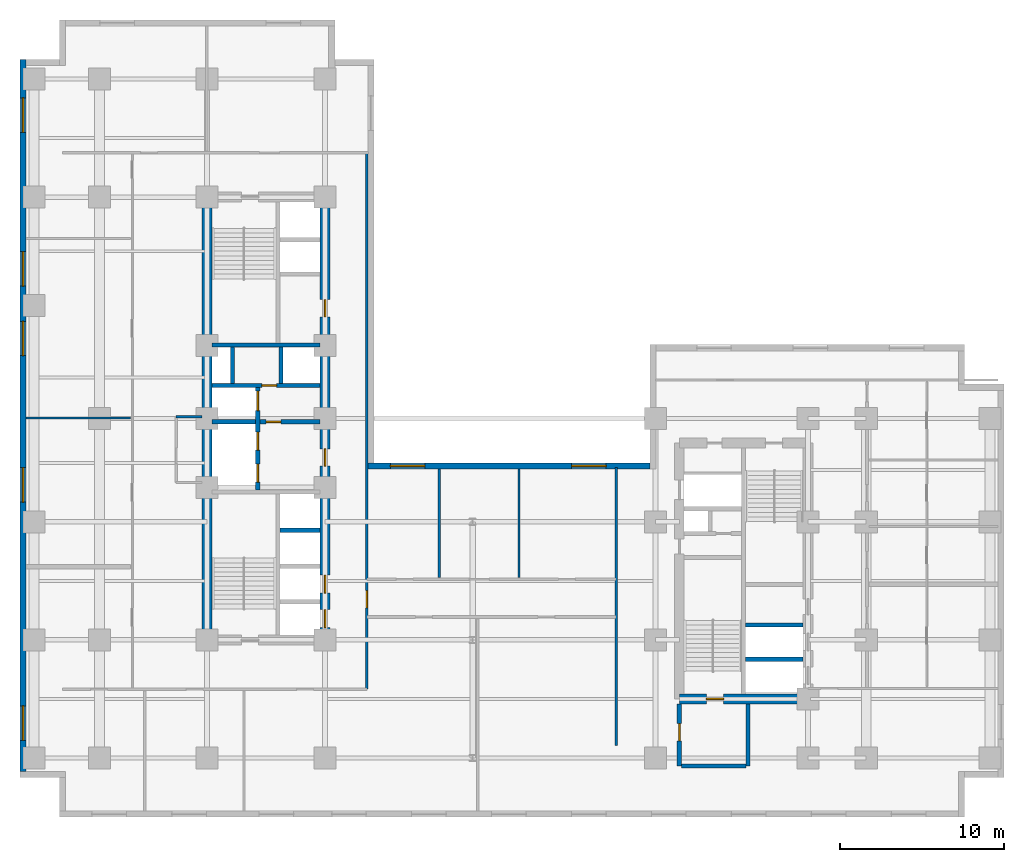
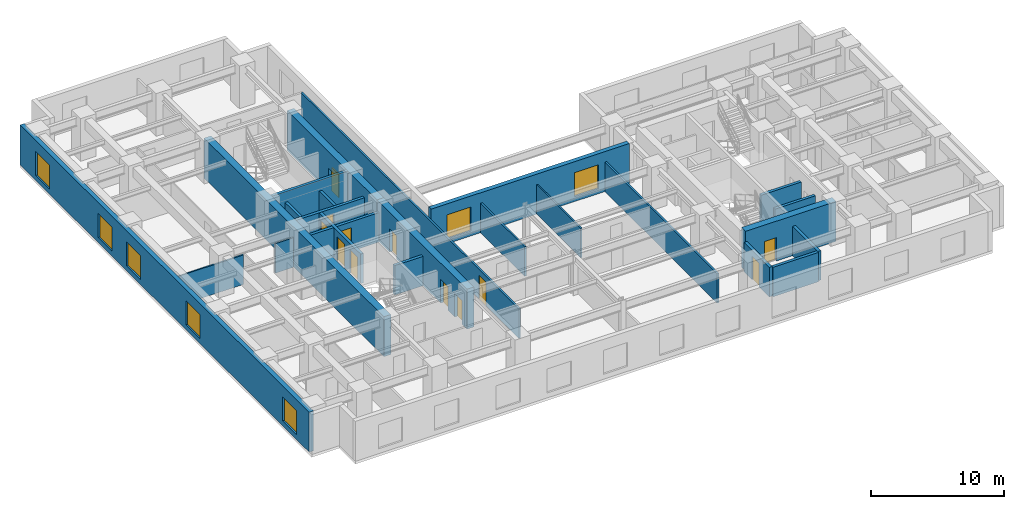
# One storey, part 4 of 9: 24 walls, 12 doors, 7 windows, 19 openings.
"""IFC4 building model written with IfcOpenShell, lengths in metres."""

from ifc_helpers import new_model, entity, si_unit, converted_unit, direction, frame, origin_with_axes, origin_2d_with_axis, place, context, subcontext, project, spatial, polyline, rectangle, outline, extrude, material, layer, layer_set, type_object, element, fill, save


model = new_model("IFC4")

# Units and contexts
model_context = context("Model", 3, precision=1e-05, world=origin_with_axes(), true_north=direction((0.0, 1.0)))
body_context = subcontext(model_context, "Body", "Model", "MODEL_VIEW")
ifc_project = project(units=[si_unit("LENGTHUNIT", "METRE"), si_unit("AREAUNIT", "SQUARE_METRE"), si_unit("VOLUMEUNIT", "CUBIC_METRE"), converted_unit("PLANEANGLEUNIT", "DEGREE", entity("IfcPlaneAngleMeasure", 0.017453292519943295), si_unit("PLANEANGLEUNIT", "RADIAN"), dimensions=[0, 0, 0, 0, 0, 0, 0]), si_unit("MASSUNIT", "GRAM", prefix="KILO"), si_unit("THERMODYNAMICTEMPERATUREUNIT", "KELVIN")], contexts=[model_context])

# Site, building, storey
site_placement = place(None, origin_with_axes())
site = spatial("IfcSite", under=ifc_project, at=site_placement, CompositionType="ELEMENT")
building_placement = place(site_placement, origin_with_axes())
building = spatial("IfcBuilding", under=site, at=building_placement, Name="Varnlund Millrace Tower", CompositionType="ELEMENT")
storey_placement = place(building_placement, frame((0.0, 0.0, 40.5), z_axis=(0.0, 0.0, 1.0), x_axis=(1.0, 0.0, 0.0)))
storey = spatial("IfcBuildingStorey", under=building, at=storey_placement, Name="L09", CompositionType="ELEMENT", Elevation=40.5)

# Wall
ifc_material_1 = material(Name="Concrete C80/95", Category="concrete")
ifc_layer_1 = layer(ifc_material_1, 0.6, Name="Concrete C80/95")
ifc_layer_set_1 = layer_set([ifc_layer_1], Name="Concrete C80/95")
wall_type_1 = type_object("IfcWallType", Name="Type-CoreWall-Shear-600-C80", PredefinedType="SHEAR", material=ifc_layer_set_1)
wall_1_placement = place(storey_placement, frame((11.4, 10.8, 0.0), z_axis=(0.0, 0.0, 1.0), x_axis=(0.0, 1.0, 0.0)))
element("IfcWall", 1, at=wall_1_placement, inside=storey, type_object=wall_type_1, Name="Type-CoreWall-Shear-600-C80", PredefinedType="SHEAR", context=body_context, shape_type="SweptSolid", body=[
    extrude(outline(polyline([(0.0, -0.3), (27.0, -0.3), (27.0, 0.3), (0.0, 0.3), (0.0, -0.3)])), origin_with_axes(), (0.0, 0.0, 1.0), 3.66),
])

# Wall, openings, doors
wall_2_placement = place(storey_placement, frame((18.6, 10.8, 0.0), z_axis=(0.0, 0.0, 1.0), x_axis=(0.0, 1.0, 0.0)))
wall_2 = element("IfcWall", 2, at=wall_2_placement, inside=storey, type_object=wall_type_1, Name="Type-CoreWall-Shear-600-C80", PredefinedType="SHEAR", context=body_context, shape_type="SweptSolid", body=[
    extrude(outline(polyline([(0.0, -0.3), (13.5, -0.3), (13.5, 0.3), (0.0, 0.3), (0.0, -0.3)])), origin_with_axes(), (0.0, 0.0, 1.0), 3.66),
])
opening_1_placement = place(wall_2_placement, frame((1.3, 0.0, 0.0), z_axis=(0.0, 0.0, 1.0), x_axis=(1.0, 0.0, 0.0)))
opening_1 = element("IfcOpeningElement", 3, at=opening_1_placement, cuts=wall_2, Name="Opening L09:LD-ELV-L1", PredefinedType="OPENING", context=body_context, shape_type="SweptSolid", body=[
    extrude(rectangle(XDim=1.1, YDim=0.62, at=origin_2d_with_axis()), origin_with_axes(), (0.0, 0.0, 1.0), 2.15),
])
opening_2_placement = place(wall_2_placement, frame((3.4, 0.0, 0.0), z_axis=(0.0, 0.0, 1.0), x_axis=(1.0, 0.0, 0.0)))
opening_2 = element("IfcOpeningElement", 4, at=opening_2_placement, cuts=wall_2, Name="Opening L09:LD-ELV-L2", PredefinedType="OPENING", context=body_context, shape_type="SweptSolid", body=[
    extrude(rectangle(XDim=1.1, YDim=0.62, at=origin_2d_with_axis()), origin_with_axes(), (0.0, 0.0, 1.0), 2.15),
])
opening_3_placement = place(wall_2_placement, frame((11.125, 0.0, 0.0), z_axis=(0.0, 0.0, 1.0), x_axis=(1.0, 0.0, 0.0)))
opening_3 = element("IfcOpeningElement", 5, at=opening_3_placement, cuts=wall_2, Name="Opening L09:DR-FFLOB-A", PredefinedType="OPENING", context=body_context, shape_type="SweptSolid", body=[
    extrude(rectangle(XDim=1.05, YDim=0.62, at=origin_2d_with_axis()), origin_with_axes(), (0.0, 0.0, 1.0), 2.15),
])
ifc_material_2 = material(Name="Smoke-barrier hollow steel fire door", Category="steel")
door_type_1 = type_object("IfcDoorType", Name="Type-FireDoor-Lobby-1050X2150", OperationType="NOTDEFINED", PredefinedType="DOOR", material=ifc_material_2)
door_1_placement = place(wall_2_placement, frame((11.125, 0.0, 0.0), z_axis=(0.0, 0.0, 1.0), x_axis=(1.0, 0.0, 0.0)))
door_1 = element("IfcDoor", 6, at=door_1_placement, inside=storey, type_object=door_type_1, Name="Type-FireDoor-Lobby-1050X2150", OperationType="SINGLE_SWING_LEFT", OverallHeight=2.15, OverallWidth=1.05, PredefinedType="DOOR", context=body_context, shape_type="SweptSolid", body=[
    extrude(rectangle(XDim=1.05, YDim=0.09, at=origin_2d_with_axis()), origin_with_axes(), (0.0, 0.0, 1.0), 2.15),
])
fill(opening_3, door_1)
ifc_material_3 = material(Name="Stainless and architectural bronze sliding landing door")
door_type_2 = type_object("IfcDoorType", Name="Type-LiftLandingDoor-1100X2150", OperationType="NOTDEFINED", PredefinedType="DOOR", material=ifc_material_3)
door_2_placement = place(wall_2_placement, frame((1.3, 0.0, 0.0), z_axis=(0.0, 0.0, 1.0), x_axis=(1.0, 0.0, 0.0)))
door_2 = element("IfcDoor", 7, at=door_2_placement, inside=storey, type_object=door_type_2, Name="Type-LiftLandingDoor-1100X2150", OperationType="SLIDING_TO_LEFT", OverallHeight=2.15, OverallWidth=1.1, PredefinedType="DOOR", context=body_context, shape_type="SweptSolid", body=[
    extrude(rectangle(XDim=1.1, YDim=0.09, at=origin_2d_with_axis()), origin_with_axes(), (0.0, 0.0, 1.0), 2.15),
])
fill(opening_1, door_2)
door_3_placement = place(wall_2_placement, frame((3.4, 0.0, 0.0), z_axis=(0.0, 0.0, 1.0), x_axis=(1.0, 0.0, 0.0)))
door_3 = element("IfcDoor", 8, at=door_3_placement, inside=storey, type_object=door_type_2, Name="Type-LiftLandingDoor-1100X2150", OperationType="SLIDING_TO_RIGHT", OverallHeight=2.15, OverallWidth=1.1, PredefinedType="DOOR", context=body_context, shape_type="SweptSolid", body=[
    extrude(rectangle(XDim=1.1, YDim=0.09, at=origin_2d_with_axis()), origin_with_axes(), (0.0, 0.0, 1.0), 2.15),
])
fill(opening_2, door_3)

# Wall, opening, door
wall_3_placement = place(storey_placement, frame((18.6, 24.3, 0.0), z_axis=(0.0, 0.0, 1.0), x_axis=(0.0, 1.0, 0.0)))
wall_3 = element("IfcWall", 9, at=wall_3_placement, inside=storey, type_object=wall_type_1, Name="Type-CoreWall-Shear-600-C80", PredefinedType="SHEAR", context=body_context, shape_type="SweptSolid", body=[
    extrude(outline(polyline([(0.0, -0.3), (13.5, -0.3), (13.5, 0.3), (0.0, 0.3), (0.0, -0.3)])), origin_with_axes(), (0.0, 0.0, 1.0), 3.66),
])
opening_4_placement = place(wall_3_placement, frame((6.725, 0.0, 0.0), z_axis=(0.0, 0.0, 1.0), x_axis=(1.0, 0.0, 0.0)))
opening_4 = element("IfcOpeningElement", 10, at=opening_4_placement, cuts=wall_3, Name="Opening L09:DR-CA-WC1", PredefinedType="OPENING", context=body_context, shape_type="SweptSolid", body=[
    extrude(rectangle(XDim=1.05, YDim=0.62, at=origin_2d_with_axis()), origin_with_axes(), (0.0, 0.0, 1.0), 2.15),
])
door_4_placement = place(wall_3_placement, frame((6.725, 0.0, 0.0), z_axis=(0.0, 0.0, 1.0), x_axis=(1.0, 0.0, 0.0)))
door_4 = element("IfcDoor", 11, at=door_4_placement, inside=storey, type_object=door_type_1, Name="Type-FireDoor-Lobby-1050X2150", OperationType="SINGLE_SWING_LEFT", OverallHeight=2.15, OverallWidth=1.05, PredefinedType="DOOR", context=body_context, shape_type="SweptSolid", body=[
    extrude(rectangle(XDim=1.05, YDim=0.09, at=origin_2d_with_axis()), origin_with_axes(), (0.0, 0.0, 1.0), 2.15),
])
fill(opening_4, door_4)

wall_4_placement = place(storey_placement, frame((40.2, 7.2, 0.0), z_axis=(0.0, 0.0, 1.0), x_axis=(1.0, 0.0, 0.0)))
wall_4 = element("IfcWall", 12, at=wall_4_placement, inside=storey, type_object=wall_type_1, Name="Type-CoreWall-Shear-600-C80", PredefinedType="SHEAR", context=body_context, shape_type="SweptSolid", body=[
    extrude(outline(polyline([(0.0, -0.3), (7.85, -0.3), (7.85, 0.3), (0.0, 0.3), (0.0, -0.3)])), origin_with_axes(), (0.0, 0.0, 1.0), 3.66),
])
opening_5_placement = place(wall_4_placement, frame((2.175, 0.0, 0.0), z_axis=(0.0, 0.0, 1.0), x_axis=(1.0, 0.0, 0.0)))
opening_5 = element("IfcOpeningElement", 13, at=opening_5_placement, cuts=wall_4, Name="Opening L09:DR-STB1", PredefinedType="OPENING", context=body_context, shape_type="SweptSolid", body=[
    extrude(rectangle(XDim=1.05, YDim=0.62, at=origin_2d_with_axis()), origin_with_axes(), (0.0, 0.0, 1.0), 2.15),
])
ifc_material_4 = material(Name="Fire-rated hollow steel door", Category="steel")
door_type_3 = type_object("IfcDoorType", Name="Type-FireDoor-Stair-1050X2150", OperationType="NOTDEFINED", PredefinedType="DOOR", material=ifc_material_4)
door_5_placement = place(wall_4_placement, frame((2.175, 0.0, 0.0), z_axis=(0.0, 0.0, 1.0), x_axis=(1.0, 0.0, 0.0)))
door_5 = element("IfcDoor", 14, at=door_5_placement, inside=storey, type_object=door_type_3, Name="Type-FireDoor-Stair-1050X2150", OperationType="SINGLE_SWING_LEFT", OverallHeight=2.15, OverallWidth=1.05, PredefinedType="DOOR", context=body_context, shape_type="SweptSolid", body=[
    extrude(rectangle(XDim=1.05, YDim=0.09, at=origin_2d_with_axis()), origin_with_axes(), (0.0, 0.0, 1.0), 2.15),
])
fill(opening_5, door_5)

# Wall, openings, windows
ifc_material_5 = material(Name="Precast concrete C50/60", Category="concrete")
ifc_layer_2 = layer(ifc_material_5, 0.38, Name="Precast concrete C50/60")
ifc_layer_set_2 = layer_set([ifc_layer_2], Name="Precast concrete C50/60")
wall_type_2 = type_object("IfcWallType", Name="Type-ExtWall-Precast-Tube-380", PredefinedType="SOLIDWALL", material=ifc_layer_set_2)
wall_5_placement = place(storey_placement, frame((0.19, 2.78, 0.0), z_axis=(0.0, 0.0, 1.0), x_axis=(0.0, 1.0, 0.0)))
wall_5 = element("IfcWall", 15, at=wall_5_placement, inside=storey, type_object=wall_type_2, Name="Type-ExtWall-Precast-Tube-380", PredefinedType="SOLIDWALL", context=body_context, shape_type="SweptSolid", body=[
    extrude(outline(polyline([(0.0, -0.19), (43.42, -0.19), (43.42, 0.19), (0.0, 0.19), (0.0, -0.19)])), origin_with_axes(), (0.0, 0.0, 1.0), 3.66),
])
opening_6_placement = place(wall_5_placement, frame((2.946, 0.0, 0.45), z_axis=(0.0, 0.0, 1.0), x_axis=(1.0, 0.0, 0.0)))
opening_6 = element("IfcOpeningElement", 16, at=opening_6_placement, cuts=wall_5, Name="Opening L09:WN-16", PredefinedType="OPENING", context=body_context, shape_type="SweptSolid", body=[
    extrude(rectangle(XDim=2.1, YDim=0.4, at=origin_2d_with_axis()), origin_with_axes(), (0.0, 0.0, 1.0), 2.2),
])
opening_7_placement = place(wall_5_placement, frame((17.469, 0.0, 0.45), z_axis=(0.0, 0.0, 1.0), x_axis=(1.0, 0.0, 0.0)))
opening_7 = element("IfcOpeningElement", 17, at=opening_7_placement, cuts=wall_5, Name="Opening L09:WN-17", PredefinedType="OPENING", context=body_context, shape_type="SweptSolid", body=[
    extrude(rectangle(XDim=2.1, YDim=0.4, at=origin_2d_with_axis()), origin_with_axes(), (0.0, 0.0, 1.0), 2.2),
])
opening_8_placement = place(wall_5_placement, frame((26.401, 0.0, 0.45), z_axis=(0.0, 0.0, 1.0), x_axis=(1.0, 0.0, 0.0)))
opening_8 = element("IfcOpeningElement", 18, at=opening_8_placement, cuts=wall_5, Name="Opening L09:WN-18", PredefinedType="OPENING", context=body_context, shape_type="SweptSolid", body=[
    extrude(rectangle(XDim=2.1, YDim=0.4, at=origin_2d_with_axis()), origin_with_axes(), (0.0, 0.0, 1.0), 2.2),
])
opening_9_placement = place(wall_5_placement, frame((30.642, 0.0, 0.45), z_axis=(0.0, 0.0, 1.0), x_axis=(1.0, 0.0, 0.0)))
opening_9 = element("IfcOpeningElement", 19, at=opening_9_placement, cuts=wall_5, Name="Opening L09:WN-19", PredefinedType="OPENING", context=body_context, shape_type="SweptSolid", body=[
    extrude(rectangle(XDim=2.1, YDim=0.4, at=origin_2d_with_axis()), origin_with_axes(), (0.0, 0.0, 1.0), 2.2),
])
opening_10_placement = place(wall_5_placement, frame((40.024, 0.0, 0.45), z_axis=(0.0, 0.0, 1.0), x_axis=(1.0, 0.0, 0.0)))
opening_10 = element("IfcOpeningElement", 20, at=opening_10_placement, cuts=wall_5, Name="Opening L09:WN-20", PredefinedType="OPENING", context=body_context, shape_type="SweptSolid", body=[
    extrude(rectangle(XDim=2.1, YDim=0.4, at=origin_2d_with_axis()), origin_with_axes(), (0.0, 0.0, 1.0), 2.2),
])
ifc_material_6 = material(Name="Argon low-e triple glazing in thermally broken bronze frame", Category="glass")
window_type = type_object("IfcWindowType", Name="Type-Window-Punched-2100X2200", PartitioningType="SINGLE_PANEL", PredefinedType="WINDOW", material=ifc_material_6)
window_1_placement = place(wall_5_placement, frame((2.946, 0.0, 0.45), z_axis=(0.0, 0.0, 1.0), x_axis=(1.0, 0.0, 0.0)))
window_1 = element("IfcWindow", 21, at=window_1_placement, inside=storey, type_object=window_type, Name="Type-Window-Punched-2100X2200", OverallHeight=2.2, OverallWidth=2.1, PredefinedType="WINDOW", context=body_context, shape_type="SweptSolid", body=[
    extrude(rectangle(XDim=2.1, YDim=0.09, at=origin_2d_with_axis()), origin_with_axes(), (0.0, 0.0, 1.0), 2.2),
])
fill(opening_6, window_1)
window_2_placement = place(wall_5_placement, frame((17.469, 0.0, 0.45), z_axis=(0.0, 0.0, 1.0), x_axis=(1.0, 0.0, 0.0)))
window_2 = element("IfcWindow", 22, at=window_2_placement, inside=storey, type_object=window_type, Name="Type-Window-Punched-2100X2200", OverallHeight=2.2, OverallWidth=2.1, PredefinedType="WINDOW", context=body_context, shape_type="SweptSolid", body=[
    extrude(rectangle(XDim=2.1, YDim=0.09, at=origin_2d_with_axis()), origin_with_axes(), (0.0, 0.0, 1.0), 2.2),
])
fill(opening_7, window_2)
window_3_placement = place(wall_5_placement, frame((26.401, 0.0, 0.45), z_axis=(0.0, 0.0, 1.0), x_axis=(1.0, 0.0, 0.0)))
window_3 = element("IfcWindow", 23, at=window_3_placement, inside=storey, type_object=window_type, Name="Type-Window-Punched-2100X2200", OverallHeight=2.2, OverallWidth=2.1, PredefinedType="WINDOW", context=body_context, shape_type="SweptSolid", body=[
    extrude(rectangle(XDim=2.1, YDim=0.09, at=origin_2d_with_axis()), origin_with_axes(), (0.0, 0.0, 1.0), 2.2),
])
fill(opening_8, window_3)
window_4_placement = place(wall_5_placement, frame((30.642, 0.0, 0.45), z_axis=(0.0, 0.0, 1.0), x_axis=(1.0, 0.0, 0.0)))
window_4 = element("IfcWindow", 24, at=window_4_placement, inside=storey, type_object=window_type, Name="Type-Window-Punched-2100X2200", OverallHeight=2.2, OverallWidth=2.1, PredefinedType="WINDOW", context=body_context, shape_type="SweptSolid", body=[
    extrude(rectangle(XDim=2.1, YDim=0.09, at=origin_2d_with_axis()), origin_with_axes(), (0.0, 0.0, 1.0), 2.2),
])
fill(opening_9, window_4)
window_5_placement = place(wall_5_placement, frame((40.024, 0.0, 0.45), z_axis=(0.0, 0.0, 1.0), x_axis=(1.0, 0.0, 0.0)))
window_5 = element("IfcWindow", 25, at=window_5_placement, inside=storey, type_object=window_type, Name="Type-Window-Punched-2100X2200", OverallHeight=2.2, OverallWidth=2.1, PredefinedType="WINDOW", context=body_context, shape_type="SweptSolid", body=[
    extrude(rectangle(XDim=2.1, YDim=0.09, at=origin_2d_with_axis()), origin_with_axes(), (0.0, 0.0, 1.0), 2.2),
])
fill(opening_10, window_5)

wall_6_placement = place(storey_placement, frame((21.22, 21.41, 0.0), z_axis=(0.0, 0.0, 1.0), x_axis=(1.0, 0.0, 0.0)))
wall_6 = element("IfcWall", 26, at=wall_6_placement, inside=storey, type_object=wall_type_2, Name="Type-ExtWall-Precast-Tube-380", PredefinedType="SOLIDWALL", context=body_context, shape_type="SweptSolid", body=[
    extrude(outline(polyline([(0.0, -0.19), (17.18, -0.19), (17.18, 0.19), (0.0, 0.19), (0.0, -0.19)])), origin_with_axes(), (0.0, 0.0, 1.0), 3.66),
])
opening_11_placement = place(wall_6_placement, frame((2.413, 0.0, 0.45), z_axis=(0.0, 0.0, 1.0), x_axis=(1.0, 0.0, 0.0)))
opening_11 = element("IfcOpeningElement", 27, at=opening_11_placement, cuts=wall_6, Name="Opening L09:WN-24", PredefinedType="OPENING", context=body_context, shape_type="SweptSolid", body=[
    extrude(rectangle(XDim=2.1, YDim=0.4, at=origin_2d_with_axis()), origin_with_axes(), (0.0, 0.0, 1.0), 2.2),
])
opening_12_placement = place(wall_6_placement, frame((13.467, 0.0, 0.45), z_axis=(0.0, 0.0, 1.0), x_axis=(1.0, 0.0, 0.0)))
opening_12 = element("IfcOpeningElement", 28, at=opening_12_placement, cuts=wall_6, Name="Opening L09:WN-25", PredefinedType="OPENING", context=body_context, shape_type="SweptSolid", body=[
    extrude(rectangle(XDim=2.1, YDim=0.4, at=origin_2d_with_axis()), origin_with_axes(), (0.0, 0.0, 1.0), 2.2),
])
window_6_placement = place(wall_6_placement, frame((2.413, 0.0, 0.45), z_axis=(0.0, 0.0, 1.0), x_axis=(1.0, 0.0, 0.0)))
window_6 = element("IfcWindow", 29, at=window_6_placement, inside=storey, type_object=window_type, Name="Type-Window-Punched-2100X2200", OverallHeight=2.2, OverallWidth=2.1, PredefinedType="WINDOW", context=body_context, shape_type="SweptSolid", body=[
    extrude(rectangle(XDim=2.1, YDim=0.09, at=origin_2d_with_axis()), origin_with_axes(), (0.0, 0.0, 1.0), 2.2),
])
fill(opening_11, window_6)
window_7_placement = place(wall_6_placement, frame((13.467, 0.0, 0.45), z_axis=(0.0, 0.0, 1.0), x_axis=(1.0, 0.0, 0.0)))
window_7 = element("IfcWindow", 30, at=window_7_placement, inside=storey, type_object=window_type, Name="Type-Window-Punched-2100X2200", OverallHeight=2.2, OverallWidth=2.1, PredefinedType="WINDOW", context=body_context, shape_type="SweptSolid", body=[
    extrude(rectangle(XDim=2.1, YDim=0.09, at=origin_2d_with_axis()), origin_with_axes(), (0.0, 0.0, 1.0), 2.2),
])
fill(opening_12, window_7)

# Wall, opening, door
ifc_material_7 = material(Name="Fire-rated gypsum board on cold-formed steel framing", Category="steel")
ifc_layer_3 = layer(ifc_material_7, 0.16, Name="Fire-rated gypsum board on cold-formed steel framing")
ifc_layer_set_3 = layer_set([ifc_layer_3], Name="Fire-rated gypsum board on cold-formed steel framing")
wall_type_3 = type_object("IfcWallType", Name="Type-Partition-Corridor-160", PredefinedType="PARTITIONING", material=ifc_layer_set_3)
wall_7_placement = place(storey_placement, frame((21.15, 7.8, 0.0), z_axis=(0.0, 0.0, 1.0), x_axis=(0.0, 1.0, 0.0)))
wall_7 = element("IfcWall", 31, at=wall_7_placement, inside=storey, type_object=wall_type_3, Name="Type-Partition-Corridor-160", PredefinedType="PARTITIONING", context=body_context, shape_type="SweptSolid", body=[
    extrude(outline(polyline([(0.0, -0.08), (32.7, -0.08), (32.7, 0.08), (0.0, 0.08), (0.0, -0.08)])), origin_with_axes(), (0.0, 0.0, 1.0), 2.7),
])
opening_13_placement = place(wall_7_placement, frame((5.475, 0.0, 0.0), z_axis=(0.0, 0.0, 1.0), x_axis=(1.0, 0.0, 0.0)))
opening_13 = element("IfcOpeningElement", 32, at=opening_13_placement, cuts=wall_7, Name="Opening L09:DR-KN-W", PredefinedType="OPENING", context=body_context, shape_type="SweptSolid", body=[
    extrude(rectangle(XDim=1.05, YDim=0.18, at=origin_2d_with_axis()), origin_with_axes(), (0.0, 0.0, 1.0), 2.15),
])
door_6_placement = place(wall_7_placement, frame((5.475, 0.0, 0.0), z_axis=(0.0, 0.0, 1.0), x_axis=(1.0, 0.0, 0.0)))
door_6 = element("IfcDoor", 33, at=door_6_placement, inside=storey, type_object=door_type_1, Name="Type-FireDoor-Lobby-1050X2150", OperationType="SINGLE_SWING_LEFT", OverallHeight=2.15, OverallWidth=1.05, PredefinedType="DOOR", context=body_context, shape_type="SweptSolid", body=[
    extrude(rectangle(XDim=1.05, YDim=0.09, at=origin_2d_with_axis()), origin_with_axes(), (0.0, 0.0, 1.0), 2.15),
])
fill(opening_13, door_6)

# Walls
wall_8_placement = place(storey_placement, frame((36.35, 4.35, 0.0), z_axis=(0.0, 0.0, 1.0), x_axis=(0.0, 1.0, 0.0)))
element("IfcWall", 34, at=wall_8_placement, inside=storey, type_object=wall_type_3, Name="Type-Partition-Corridor-160", PredefinedType="PARTITIONING", context=body_context, shape_type="SweptSolid", body=[
    extrude(outline(polyline([(0.0, -0.08), (16.95, -0.08), (16.95, 0.08), (0.0, 0.08), (0.0, -0.08)])), origin_with_axes(), (0.0, 0.0, 1.0), 2.7),
])
ifc_material_8 = material(Name="Acoustic STC-50 gypsum board partition", Category="gypsum")
ifc_layer_4 = layer(ifc_material_8, 0.15, Name="Acoustic STC-50 gypsum board partition")
ifc_layer_set_4 = layer_set([ifc_layer_4], Name="Acoustic STC-50 gypsum board partition")
wall_type_4 = type_object("IfcWallType", Name="Type-Partition-Demising-150", PredefinedType="PARTITIONING", material=ifc_layer_set_4)
wall_9_placement = place(storey_placement, frame((25.575, 14.62, 0.0), z_axis=(0.0, 0.0, 1.0), x_axis=(0.0, 1.0, 0.0)))
element("IfcWall", 35, at=wall_9_placement, inside=storey, type_object=wall_type_4, Name="Type-Partition-Demising-150", PredefinedType="PARTITIONING", context=body_context, shape_type="SweptSolid", body=[
    extrude(outline(polyline([(0.0, -0.075), (6.605, -0.075), (6.605, 0.075), (0.0, 0.075), (0.0, -0.075)])), origin_with_axes(), (0.0, 0.0, 1.0), 2.7),
])
ifc_material_9 = material(Name="Gypsum board tenant partition", Category="gypsum")
ifc_layer_5 = layer(ifc_material_9, 0.125, Name="Gypsum board tenant partition")
ifc_layer_set_5 = layer_set([ifc_layer_5], Name="Gypsum board tenant partition")
wall_type_5 = type_object("IfcWallType", Name="Type-Partition-Tenant-125", PredefinedType="PARTITIONING", material=ifc_layer_set_5)
wall_10_placement = place(storey_placement, frame((0.375, 24.329, 0.0), z_axis=(0.0, 0.0, 1.0), x_axis=(1.0, 0.0, 0.0)))
element("IfcWall", 36, at=wall_10_placement, inside=storey, type_object=wall_type_5, Name="Type-Partition-Tenant-125", PredefinedType="PARTITIONING", context=body_context, shape_type="SweptSolid", body=[
    extrude(outline(polyline([(0.0, -0.0625), (6.355, -0.0625), (6.355, 0.0625), (0.0, 0.0625), (0.0, -0.0625)])), origin_with_axes(), (0.0, 0.0, 1.0), 2.7),
])
wall_11_placement = place(storey_placement, frame((30.427, 14.62, 0.0), z_axis=(0.0, 0.0, 1.0), x_axis=(0.0, 1.0, 0.0)))
element("IfcWall", 37, at=wall_11_placement, inside=storey, type_object=wall_type_5, Name="Type-Partition-Tenant-125", PredefinedType="PARTITIONING", context=body_context, shape_type="SweptSolid", body=[
    extrude(outline(polyline([(0.0, -0.0625), (6.605, -0.0625), (6.605, 0.0625), (0.0, 0.0625), (0.0, -0.0625)])), origin_with_axes(), (0.0, 0.0, 1.0), 2.7),
])
ifc_material_10 = material(Name="Moisture-resistant gypsum restroom partition", Category="gypsum")
ifc_layer_6 = layer(ifc_material_10, 0.14, Name="Moisture-resistant gypsum restroom partition")
ifc_layer_set_6 = layer_set([ifc_layer_6], Name="Moisture-resistant gypsum restroom partition")
wall_type_6 = type_object("IfcWallType", Name="Type-Partition-Wet-140", PredefinedType="PARTITIONING", material=ifc_layer_set_6)
wall_12_placement = place(storey_placement, frame((9.52, 24.4, 0.0), z_axis=(0.0, 0.0, 1.0), x_axis=(1.0, 0.0, 0.0)))
element("IfcWall", 38, at=wall_12_placement, inside=storey, type_object=wall_type_6, Name="Type-Partition-Wet-140", PredefinedType="PARTITIONING", context=body_context, shape_type="SweptSolid", body=[
    extrude(outline(polyline([(0.0, -0.07), (1.58, -0.07), (1.58, 0.07), (0.0, 0.07), (0.0, -0.07)])), origin_with_axes(), (0.0, 0.0, 1.0), 2.7),
])

# Wall, openings, doors
ifc_material_11 = material(Name="Concrete C60/75", Category="concrete")
ifc_layer_7 = layer(ifc_material_11, 0.25, Name="Concrete C60/75")
ifc_layer_set_7 = layer_set([ifc_layer_7], Name="Concrete C60/75")
wall_type_7 = type_object("IfcWallType", Name="Type-ShaftWall-Fire-250", PredefinedType="SOLIDWALL", material=ifc_layer_set_7)
wall_13_placement = place(storey_placement, frame((14.5, 19.95, 0.0), z_axis=(0.0, 0.0, 1.0), x_axis=(0.0, 1.0, 0.0)))
wall_13 = element("IfcWall", 39, at=wall_13_placement, inside=storey, type_object=wall_type_7, Name="Type-ShaftWall-Fire-250", PredefinedType="SOLIDWALL", context=body_context, shape_type="SweptSolid", body=[
    extrude(outline(polyline([(0.0, -0.125), (6.25, -0.125), (6.25, 0.125), (0.0, 0.125), (0.0, -0.125)])), origin_with_axes(), (0.0, 0.0, 1.0), 2.7),
])
opening_14_placement = place(wall_13_placement, frame((1.025, 0.0, 0.0), z_axis=(0.0, 0.0, 1.0), x_axis=(1.0, 0.0, 0.0)))
opening_14 = element("IfcOpeningElement", 40, at=opening_14_placement, cuts=wall_13, Name="Opening L09:LD-FSAE1", PredefinedType="OPENING", context=body_context, shape_type="SweptSolid", body=[
    extrude(rectangle(XDim=1.1, YDim=0.27, at=origin_2d_with_axis()), origin_with_axes(), (0.0, 0.0, 1.0), 2.15),
])
opening_15_placement = place(wall_13_placement, frame((2.975, 0.0, 0.0), z_axis=(0.0, 0.0, 1.0), x_axis=(1.0, 0.0, 0.0)))
opening_15 = element("IfcOpeningElement", 41, at=opening_15_placement, cuts=wall_13, Name="Opening L09:LD-FSAE2", PredefinedType="OPENING", context=body_context, shape_type="SweptSolid", body=[
    extrude(rectangle(XDim=1.1, YDim=0.27, at=origin_2d_with_axis()), origin_with_axes(), (0.0, 0.0, 1.0), 2.15),
])
opening_16_placement = place(wall_13_placement, frame((5.425, 0.0, 0.0), z_axis=(0.0, 0.0, 1.0), x_axis=(1.0, 0.0, 0.0)))
opening_16 = element("IfcOpeningElement", 42, at=opening_16_placement, cuts=wall_13, Name="Opening L09:LD-SRV1", PredefinedType="OPENING", context=body_context, shape_type="SweptSolid", body=[
    extrude(rectangle(XDim=1.2, YDim=0.27, at=origin_2d_with_axis()), origin_with_axes(), (0.0, 0.0, 1.0), 2.15),
])
door_7_placement = place(wall_13_placement, frame((1.025, 0.0, 0.0), z_axis=(0.0, 0.0, 1.0), x_axis=(1.0, 0.0, 0.0)))
door_7 = element("IfcDoor", 43, at=door_7_placement, inside=storey, type_object=door_type_2, Name="Type-LiftLandingDoor-1100X2150", OperationType="SLIDING_TO_LEFT", OverallHeight=2.15, OverallWidth=1.1, PredefinedType="DOOR", context=body_context, shape_type="SweptSolid", body=[
    extrude(rectangle(XDim=1.1, YDim=0.09, at=origin_2d_with_axis()), origin_with_axes(), (0.0, 0.0, 1.0), 2.15),
])
fill(opening_14, door_7)
door_8_placement = place(wall_13_placement, frame((2.975, 0.0, 0.0), z_axis=(0.0, 0.0, 1.0), x_axis=(1.0, 0.0, 0.0)))
door_8 = element("IfcDoor", 44, at=door_8_placement, inside=storey, type_object=door_type_2, Name="Type-LiftLandingDoor-1100X2150", OperationType="SLIDING_TO_RIGHT", OverallHeight=2.15, OverallWidth=1.1, PredefinedType="DOOR", context=body_context, shape_type="SweptSolid", body=[
    extrude(rectangle(XDim=1.1, YDim=0.09, at=origin_2d_with_axis()), origin_with_axes(), (0.0, 0.0, 1.0), 2.15),
])
fill(opening_15, door_8)
ifc_material_12 = material(Name="Heavy-duty freight sliding landing door")
door_type_4 = type_object("IfcDoorType", Name="Type-LiftLandingDoor-Service-1200X2150", OperationType="NOTDEFINED", PredefinedType="DOOR", material=ifc_material_12)
door_9_placement = place(wall_13_placement, frame((5.425, 0.0, 0.0), z_axis=(0.0, 0.0, 1.0), x_axis=(1.0, 0.0, 0.0)))
door_9 = element("IfcDoor", 45, at=door_9_placement, inside=storey, type_object=door_type_4, Name="Type-LiftLandingDoor-Service-1200X2150", OperationType="DOUBLE_DOOR_SLIDING", OverallHeight=2.15, OverallWidth=1.2, PredefinedType="DOOR", context=body_context, shape_type="SweptSolid", body=[
    extrude(rectangle(XDim=1.2, YDim=0.09, at=origin_2d_with_axis()), origin_with_axes(), (0.0, 0.0, 1.0), 2.15),
])
fill(opening_16, door_9)

# Wall, opening, door
wall_14_placement = place(storey_placement, frame((11.7, 24.1, 0.0), z_axis=(0.0, 0.0, 1.0), x_axis=(1.0, 0.0, 0.0)))
wall_14 = element("IfcWall", 46, at=wall_14_placement, inside=storey, type_object=wall_type_7, Name="Type-ShaftWall-Fire-250", PredefinedType="SOLIDWALL", context=body_context, shape_type="SweptSolid", body=[
    extrude(outline(polyline([(0.0, -0.125), (6.6, -0.125), (6.6, 0.125), (0.0, 0.125), (0.0, -0.125)])), origin_with_axes(), (0.0, 0.0, 1.0), 2.7),
])
opening_17_placement = place(wall_14_placement, frame((3.75, 0.0, 0.0), z_axis=(0.0, 0.0, 1.0), x_axis=(1.0, 0.0, 0.0)))
opening_17 = element("IfcOpeningElement", 47, at=opening_17_placement, cuts=wall_14, Name="Opening L09:DR-CA-SRV1", PredefinedType="OPENING", context=body_context, shape_type="SweptSolid", body=[
    extrude(rectangle(XDim=0.9, YDim=0.27, at=origin_2d_with_axis()), origin_with_axes(), (0.0, 0.0, 1.0), 2.15),
])
ifc_material_13 = material(Name="Fire-rated hollow steel service closet door", Category="steel")
door_type_5 = type_object("IfcDoorType", Name="Type-FireDoor-Closet-900X2150", OperationType="NOTDEFINED", PredefinedType="DOOR", material=ifc_material_13)
door_10_placement = place(wall_14_placement, frame((3.75, 0.0, 0.0), z_axis=(0.0, 0.0, 1.0), x_axis=(1.0, 0.0, 0.0)))
door_10 = element("IfcDoor", 48, at=door_10_placement, inside=storey, type_object=door_type_5, Name="Type-FireDoor-Closet-900X2150", OperationType="SINGLE_SWING_LEFT", OverallHeight=2.15, OverallWidth=0.9, PredefinedType="DOOR", context=body_context, shape_type="SweptSolid", body=[
    extrude(rectangle(XDim=0.9, YDim=0.09, at=origin_2d_with_axis()), origin_with_axes(), (0.0, 0.0, 1.0), 2.15),
])
fill(opening_17, door_10)

wall_15_placement = place(storey_placement, frame((11.7, 26.325, 0.0), z_axis=(0.0, 0.0, 1.0), x_axis=(1.0, 0.0, 0.0)))
wall_15 = element("IfcWall", 49, at=wall_15_placement, inside=storey, type_object=wall_type_7, Name="Type-ShaftWall-Fire-250", PredefinedType="SOLIDWALL", context=body_context, shape_type="SweptSolid", body=[
    extrude(outline(polyline([(0.0, -0.125), (6.6, -0.125), (6.6, 0.125), (0.0, 0.125), (0.0, -0.125)])), origin_with_axes(), (0.0, 0.0, 1.0), 2.7),
])
opening_18_placement = place(wall_15_placement, frame((3.5, 0.0, 0.0), z_axis=(0.0, 0.0, 1.0), x_axis=(1.0, 0.0, 0.0)))
opening_18 = element("IfcOpeningElement", 50, at=opening_18_placement, cuts=wall_15, Name="Opening L09:DR-CA-ELC", PredefinedType="OPENING", context=body_context, shape_type="SweptSolid", body=[
    extrude(rectangle(XDim=0.9, YDim=0.27, at=origin_2d_with_axis()), origin_with_axes(), (0.0, 0.0, 1.0), 2.15),
])
door_11_placement = place(wall_15_placement, frame((3.5, 0.0, 0.0), z_axis=(0.0, 0.0, 1.0), x_axis=(1.0, 0.0, 0.0)))
door_11 = element("IfcDoor", 51, at=door_11_placement, inside=storey, type_object=door_type_5, Name="Type-FireDoor-Closet-900X2150", OperationType="SINGLE_SWING_LEFT", OverallHeight=2.15, OverallWidth=0.9, PredefinedType="DOOR", context=body_context, shape_type="SweptSolid", body=[
    extrude(rectangle(XDim=0.9, YDim=0.09, at=origin_2d_with_axis()), origin_with_axes(), (0.0, 0.0, 1.0), 2.15),
])
fill(opening_18, door_11)

# Walls
for number, where, z_axis, x_axis, name in (
    (52, (12.96, 26.45, 0.0), (0.0, 0.0, 1.0), (0.0, 1.0, 0.0), "Type-ShaftWall-Fire-250"),
    (53, (15.925, 26.45, 0.0), (0.0, 0.0, 1.0), (0.0, 1.0, 0.0), "Type-ShaftWall-Fire-250"),
):
    element("IfcWall", number, at=place(storey_placement, frame(where, z_axis=z_axis, x_axis=x_axis)), inside=storey, type_object=wall_type_7, Name=name, PredefinedType="SOLIDWALL", context=body_context, shape_type="SweptSolid", body=[
        extrude(outline(polyline([(0.0, -0.125), (2.2, -0.125), (2.2, 0.125), (0.0, 0.125), (0.0, -0.125)])), origin_with_axes(), (0.0, 0.0, 1.0), 2.7),
    ])

# Wall, opening, door
wall_16_placement = place(storey_placement, frame((40.2, 3.1, 0.0), z_axis=(0.0, 0.0, 1.0), x_axis=(0.0, 1.0, 0.0)))
wall_16 = element("IfcWall", 54, at=wall_16_placement, inside=storey, type_object=wall_type_7, Name="Type-ShaftWall-Fire-250", PredefinedType="SOLIDWALL", context=body_context, shape_type="SweptSolid", body=[
    extrude(outline(polyline([(0.0, -0.125), (3.8, -0.125), (3.8, 0.125), (0.0, 0.125), (0.0, -0.125)])), origin_with_axes(), (0.0, 0.0, 1.0), 2.7),
])
opening_19_placement = place(wall_16_placement, frame((2.075, 0.0, 0.0), z_axis=(0.0, 0.0, 1.0), x_axis=(1.0, 0.0, 0.0)))
opening_19 = element("IfcOpeningElement", 55, at=opening_19_placement, cuts=wall_16, Name="Opening L09:DR-FFLOB-B", PredefinedType="OPENING", context=body_context, shape_type="SweptSolid", body=[
    extrude(rectangle(XDim=1.05, YDim=0.27, at=origin_2d_with_axis()), origin_with_axes(), (0.0, 0.0, 1.0), 2.15),
])
door_12_placement = place(wall_16_placement, frame((2.075, 0.0, 0.0), z_axis=(0.0, 0.0, 1.0), x_axis=(1.0, 0.0, 0.0)))
door_12 = element("IfcDoor", 56, at=door_12_placement, inside=storey, type_object=door_type_1, Name="Type-FireDoor-Lobby-1050X2150", OperationType="SINGLE_SWING_LEFT", OverallHeight=2.15, OverallWidth=1.05, PredefinedType="DOOR", context=body_context, shape_type="SweptSolid", body=[
    extrude(rectangle(XDim=1.05, YDim=0.09, at=origin_2d_with_axis()), origin_with_axes(), (0.0, 0.0, 1.0), 2.15),
])
fill(opening_19, door_12)

# Walls
wall_17_placement = place(storey_placement, frame((40.325, 3.1, 0.0), z_axis=(0.0, 0.0, 1.0), x_axis=(1.0, 0.0, 0.0)))
element("IfcWall", 57, at=wall_17_placement, inside=storey, type_object=wall_type_7, Name="Type-ShaftWall-Fire-250", PredefinedType="SOLIDWALL", context=body_context, shape_type="SweptSolid", body=[
    extrude(outline(polyline([(0.0, -0.125), (3.95, -0.125), (3.95, 0.125), (0.0, 0.125), (0.0, -0.125)])), origin_with_axes(), (0.0, 0.0, 1.0), 2.7),
])
wall_18_placement = place(storey_placement, frame((44.4, 3.1, 0.0), z_axis=(0.0, 0.0, 1.0), x_axis=(0.0, 1.0, 0.0)))
element("IfcWall", 58, at=wall_18_placement, inside=storey, type_object=wall_type_7, Name="Type-ShaftWall-Fire-250", PredefinedType="SOLIDWALL", context=body_context, shape_type="SweptSolid", body=[
    extrude(outline(polyline([(0.0, -0.125), (3.8, -0.125), (3.8, 0.125), (0.0, 0.125), (0.0, -0.125)])), origin_with_axes(), (0.0, 0.0, 1.0), 2.7),
])
wall_19_placement = place(storey_placement, frame((15.84, 17.49, 0.0), z_axis=(0.0, 0.0, 1.0), x_axis=(1.0, 0.0, 0.0)))
element("IfcWall", 59, at=wall_19_placement, inside=storey, type_object=wall_type_7, Name="Type-ShaftWall-Fire-250", PredefinedType="SOLIDWALL", context=body_context, shape_type="SweptSolid", body=[
    extrude(outline(polyline([(0.0, -0.125), (2.46, -0.125), (2.46, 0.125), (0.0, 0.125), (0.0, -0.125)])), origin_with_axes(), (0.0, 0.0, 1.0), 2.7),
])
for number, where, z_axis, x_axis, name in (
    (60, (44.25, 9.62, 0.0), (0.0, 0.0, 1.0), (1.0, 0.0, 0.0), "Type-ShaftWall-Fire-250"),
    (61, (44.25, 11.72, 0.0), (0.0, 0.0, 1.0), (1.0, 0.0, 0.0), "Type-ShaftWall-Fire-250"),
):
    element("IfcWall", number, at=place(storey_placement, frame(where, z_axis=z_axis, x_axis=x_axis)), inside=storey, type_object=wall_type_7, Name=name, PredefinedType="SOLIDWALL", context=body_context, shape_type="SweptSolid", body=[
        extrude(outline(polyline([(0.0, -0.125), (3.5, -0.125), (3.5, 0.125), (0.0, 0.125), (0.0, -0.125)])), origin_with_axes(), (0.0, 0.0, 1.0), 2.7),
    ])
wall_type_8 = type_object("IfcWallType", Name="Type-StairWall-Shear-250", PredefinedType="SHEAR", material=ifc_layer_set_7)
wall_20_placement = place(storey_placement, frame((11.7, 28.775, 0.0), z_axis=(0.0, 0.0, 1.0), x_axis=(1.0, 0.0, 0.0)))
element("IfcWall", 62, at=wall_20_placement, inside=storey, type_object=wall_type_8, Name="Type-StairWall-Shear-250", PredefinedType="SHEAR", context=body_context, shape_type="SweptSolid", body=[
    extrude(outline(polyline([(0.0, -0.125), (6.6, -0.125), (6.6, 0.125), (0.0, 0.125), (0.0, -0.125)])), origin_with_axes(), (0.0, 0.0, 1.0), 3.66),
])

save(model, "model.ifc")
